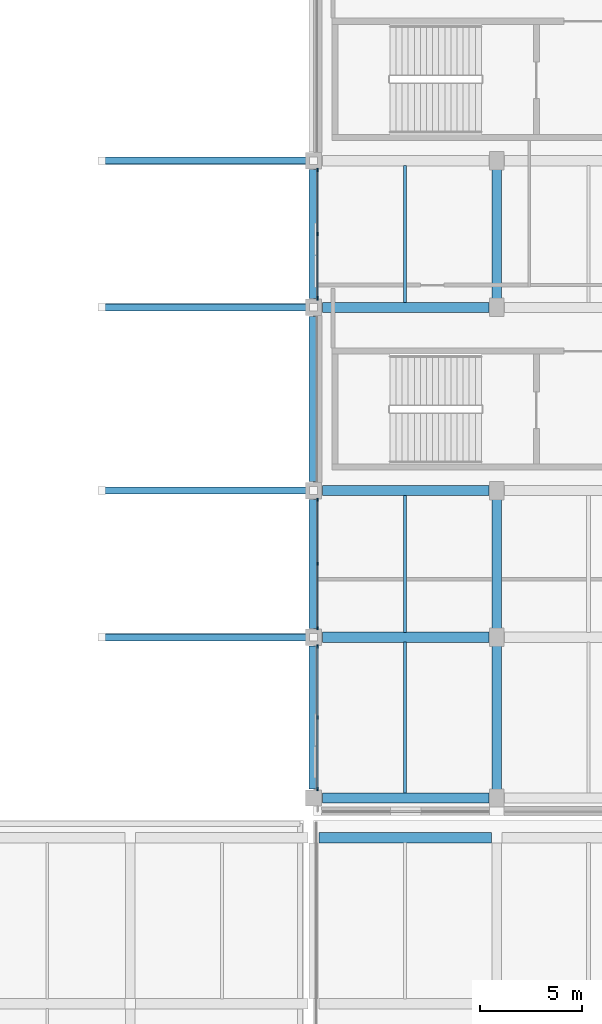
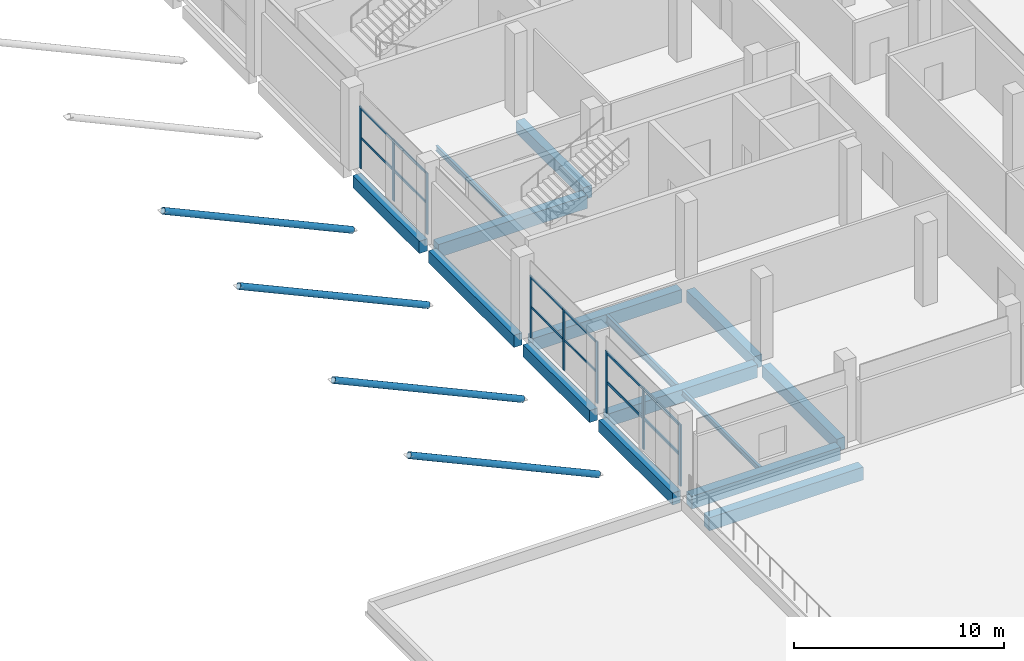
# One storey, part 24 of 82: 19 members, 15 beams, 3 elements without a shape of their own.
"""IFC4 building model written with IfcOpenShell, lengths in metres."""

from ifc_helpers import new_model, si_unit, direction, frame, origin, origin_2d, place, context, subcontext, project, spatial, rectangle, hollow_circle, i_section, extrude, material, material_profile, profile_set, type_object, element, aggregate, save


model = new_model("IFC4")

# Units and contexts
model_context = context("Model", 3, precision=1e-05, world=origin(), true_north=direction((0.0, 1.0)))
body_context = subcontext(model_context, "Body", "Model", "MODEL_VIEW")
ifc_project = project(units=[si_unit("LENGTHUNIT", "METRE"), si_unit("AREAUNIT", "SQUARE_METRE"), si_unit("VOLUMEUNIT", "CUBIC_METRE"), si_unit("PLANEANGLEUNIT", "RADIAN"), si_unit("MASSUNIT", "GRAM", prefix="KILO"), si_unit("THERMODYNAMICTEMPERATUREUNIT", "KELVIN"), si_unit("POWERUNIT", "WATT")], contexts=[model_context])

# Site, building, storey
site_placement = place(None, origin())
site = spatial("IfcSite", under=ifc_project, at=site_placement, CompositionType="ELEMENT")
building_placement = place(site_placement, origin())
building = spatial("IfcBuilding", under=site, at=building_placement, Name="Sindhuravela Promenade Stadium", CompositionType="ELEMENT")
storey_placement = place(building_placement, frame((0.0, 0.0, 14.39990234375)))
storey = spatial("IfcBuildingStorey", under=building, at=storey_placement, Name="L03", CompositionType="ELEMENT", Elevation=14.39990234375)

# Curtain wall, members
ifc_material_1 = material(Name="Anodised architectural aluminium 6063-T6", Category="aluminium")
curtain_wall_type_1 = type_object("IfcCurtainWallType", Name="CW-MOD-1", PredefinedType="NOTDEFINED", material=ifc_material_1)
curtain_wall_1_placement = place(storey_placement, origin())
curtain_wall_1 = element("IfcCurtainWall", 1, at=curtain_wall_1_placement, inside=storey, type_object=curtain_wall_type_1, Name="Bronze curtain wall CW-EAST-L03-120", PredefinedType="NOTDEFINED")
ifc_material_profile_1 = material_profile(ifc_material_1, rectangle(XDim=0.074951171875, YDim=0.175048828125, at=origin_2d()), Name="ALU MULL 75x175")
ifc_profile_set_1 = profile_set([ifc_material_profile_1], Name="Anodised architectural aluminium 6063-T6")
member_type_1 = type_object("IfcMemberType", Name="CW-MUL-1", PredefinedType="MULLION", material=ifc_profile_set_1)
member_1_placement = place(storey_placement, frame((180.199951171875, 37.550048828125, 0.0), z_axis=(0.0, 0.0, 1.0), x_axis=(1.0, 0.0, 0.0)))
member_1 = element("IfcMember", 2, at=member_1_placement, type_object=member_type_1, Name="Curtain wall mullion CW-EAST-L03-120-M1", PredefinedType="MULLION", context=body_context, shape_type="SweptSolid", body=[
    extrude(rectangle(XDim=0.074951171875, YDim=0.175048828125, at=origin_2d()), origin(), (0.0, 0.0, 1.0), 3.580078125),
])
member_2_placement = place(storey_placement, frame((180.199951171875, 41.050048828125, 0.0), z_axis=(0.0, 0.0, 1.0), x_axis=(1.0, 0.0, 0.0)))
member_2 = element("IfcMember", 3, at=member_2_placement, type_object=member_type_1, Name="Curtain wall mullion CW-EAST-L03-120-M2", PredefinedType="MULLION", context=body_context, shape_type="SweptSolid", body=[
    extrude(rectangle(XDim=0.074951171875, YDim=0.175048828125, at=origin_2d()), origin(), (0.0, 0.0, 1.0), 3.580078125),
])
member_3_placement = place(storey_placement, frame((180.199951171875, 44.550048828125, 0.0), z_axis=(0.0, 0.0, 1.0), x_axis=(1.0, 0.0, 0.0)))
member_3 = element("IfcMember", 4, at=member_3_placement, type_object=member_type_1, Name="Curtain wall mullion CW-EAST-L03-120-M3", PredefinedType="MULLION", context=body_context, shape_type="SweptSolid", body=[
    extrude(rectangle(XDim=0.074951171875, YDim=0.175048828125, at=origin_2d()), origin(), (0.0, 0.0, 1.0), 3.580078125),
])

curtain_wall_type_2 = type_object("IfcCurtainWallType", Name="CW-MOD-2", PredefinedType="NOTDEFINED", material=ifc_material_1)
curtain_wall_2_placement = place(storey_placement, origin())
curtain_wall_2 = element("IfcCurtainWall", 5, at=curtain_wall_2_placement, inside=storey, type_object=curtain_wall_type_2, Name="Bronze curtain wall CW-EAST-L03-121", PredefinedType="NOTDEFINED")
ifc_material_profile_2 = material_profile(ifc_material_1, rectangle(XDim=0.06494140625, YDim=0.14990234375, at=origin_2d()), Name="ALU MULL 65x150")
ifc_profile_set_2 = profile_set([ifc_material_profile_2], Name="Anodised architectural aluminium 6063-T6")
member_type_2 = type_object("IfcMemberType", Name="CW-MUL-2", PredefinedType="MULLION", material=ifc_profile_set_2)
member_4_placement = place(storey_placement, frame((180.199951171875, 45.449951171875, 0.0), z_axis=(0.0, 0.0, 1.0), x_axis=(1.0, 0.0, 0.0)))
member_4 = element("IfcMember", 6, at=member_4_placement, type_object=member_type_2, Name="Curtain wall mullion CW-EAST-L03-121-M1", PredefinedType="MULLION", context=body_context, shape_type="SweptSolid", body=[
    extrude(rectangle(XDim=0.06494140625, YDim=0.14990234375, at=origin_2d()), origin(), (0.0, 0.0, 1.0), 3.580078125),
])
member_5_placement = place(storey_placement, frame((180.199951171875, 48.60009765625, 0.0), z_axis=(0.0, 0.0, 1.0), x_axis=(1.0, 0.0, 0.0)))
member_5 = element("IfcMember", 7, at=member_5_placement, type_object=member_type_2, Name="Curtain wall mullion CW-EAST-L03-121-M2", PredefinedType="MULLION", context=body_context, shape_type="SweptSolid", body=[
    extrude(rectangle(XDim=0.06494140625, YDim=0.14990234375, at=origin_2d()), origin(), (0.0, 0.0, 1.0), 3.580078125),
])
member_6_placement = place(storey_placement, frame((180.199951171875, 51.75, 0.0), z_axis=(0.0, 0.0, 1.0), x_axis=(1.0, 0.0, 0.0)))
member_6 = element("IfcMember", 8, at=member_6_placement, type_object=member_type_2, Name="Curtain wall mullion CW-EAST-L03-121-M3", PredefinedType="MULLION", context=body_context, shape_type="SweptSolid", body=[
    extrude(rectangle(XDim=0.06494140625, YDim=0.14990234375, at=origin_2d()), origin(), (0.0, 0.0, 1.0), 3.580078125),
])

curtain_wall_type_3 = type_object("IfcCurtainWallType", Name="CW-MOD-3", PredefinedType="NOTDEFINED", material=ifc_material_1)
curtain_wall_3_placement = place(storey_placement, origin())
curtain_wall_3 = element("IfcCurtainWall", 9, at=curtain_wall_3_placement, inside=storey, type_object=curtain_wall_type_3, Name="Bronze curtain wall CW-EAST-L03-122", PredefinedType="NOTDEFINED")
ifc_material_profile_3 = material_profile(ifc_material_1, rectangle(XDim=0.06005859375, YDim=0.179931640625, at=origin_2d()), Name="ALU M60x180")
ifc_profile_set_3 = profile_set([ifc_material_profile_3], Name="Anodised architectural aluminium 6063-T6")
member_type_3 = type_object("IfcMemberType", Name="CW-MUL-3", PredefinedType="MULLION", material=ifc_profile_set_3)
member_7_placement = place(storey_placement, frame((180.199951171875, 61.64990234375, 0.0), z_axis=(0.0, 0.0, 1.0), x_axis=(1.0, 0.0, 0.0)))
member_7 = element("IfcMember", 10, at=member_7_placement, type_object=member_type_3, Name="Curtain wall mullion CW-EAST-L03-122-M1", PredefinedType="MULLION", context=body_context, shape_type="SweptSolid", body=[
    extrude(rectangle(XDim=0.06005859375, YDim=0.179931640625, at=origin_2d()), origin(), (0.0, 0.0, 1.0), 3.580078125),
])
member_8_placement = place(storey_placement, frame((180.199951171875, 64.800048828125, 0.0), z_axis=(0.0, 0.0, 1.0), x_axis=(1.0, 0.0, 0.0)))
member_8 = element("IfcMember", 11, at=member_8_placement, type_object=member_type_3, Name="Curtain wall mullion CW-EAST-L03-122-M2", PredefinedType="MULLION", context=body_context, shape_type="SweptSolid", body=[
    extrude(rectangle(XDim=0.06005859375, YDim=0.179931640625, at=origin_2d()), origin(), (0.0, 0.0, 1.0), 3.580078125),
])
member_9_placement = place(storey_placement, frame((180.199951171875, 67.949951171875, 0.0), z_axis=(0.0, 0.0, 1.0), x_axis=(1.0, 0.0, 0.0)))
member_9 = element("IfcMember", 12, at=member_9_placement, type_object=member_type_3, Name="Curtain wall mullion CW-EAST-L03-122-M3", PredefinedType="MULLION", context=body_context, shape_type="SweptSolid", body=[
    extrude(rectangle(XDim=0.06005859375, YDim=0.179931640625, at=origin_2d()), origin(), (0.0, 0.0, 1.0), 3.580078125),
])

# Member
ifc_material_profile_4 = material_profile(ifc_material_1, rectangle(XDim=0.074951171875, YDim=0.14990234375, at=origin_2d()), Name="ALU TRAN 75x150")
ifc_profile_set_4 = profile_set([ifc_material_profile_4], Name="Anodised architectural aluminium 6063-T6")
member_type_4 = type_object("IfcMemberType", Name="CW-TRN-1", PredefinedType="USERDEFINED", material=ifc_profile_set_4)
member_10_placement = place(storey_placement, frame((180.199951171875, 37.52490234375, 1.7900390625), z_axis=(0.0, 1.0, 0.0), x_axis=(-1.0, 0.0, 0.0)))
member_10 = element("IfcMember", 13, at=member_10_placement, type_object=member_type_4, Name="Curtain wall transom CW-EAST-L03-120-T1", ObjectType="TRANSOM", PredefinedType="USERDEFINED", context=body_context, shape_type="SweptSolid", body=[
    extrude(rectangle(XDim=0.074951171875, YDim=0.14990234375, at=origin_2d()), origin(), (0.0, 0.0, 1.0), 7.050048828125),
])

member_11_placement = place(storey_placement, frame((180.199951171875, 37.52490234375, 3.5), z_axis=(0.0, 1.0, 0.0), x_axis=(-1.0, 0.0, 0.0)))
member_11 = element("IfcMember", 14, at=member_11_placement, type_object=member_type_4, Name="Curtain wall transom CW-EAST-L03-120-T2", ObjectType="TRANSOM", PredefinedType="USERDEFINED", context=body_context, shape_type="SweptSolid", body=[
    extrude(rectangle(XDim=0.074951171875, YDim=0.14990234375, at=origin_2d()), origin(), (0.0, 0.0, 1.0), 7.050048828125),
])

aggregate(curtain_wall_1, [member_1, member_2, member_3, member_10, member_11])

ifc_material_profile_5 = material_profile(ifc_material_1, rectangle(XDim=0.06494140625, YDim=0.125, at=origin_2d()), Name="ALU TRAN 65x125")
ifc_profile_set_5 = profile_set([ifc_material_profile_5], Name="Anodised architectural aluminium 6063-T6")
member_type_5 = type_object("IfcMemberType", Name="CW-TRN-2", PredefinedType="USERDEFINED", material=ifc_profile_set_5)
member_12_placement = place(storey_placement, frame((180.199951171875, 45.425048828125, 1.7900390625), z_axis=(0.0, 1.0, 0.0), x_axis=(-1.0, 0.0, 0.0)))
member_12 = element("IfcMember", 15, at=member_12_placement, type_object=member_type_5, Name="Curtain wall transom CW-EAST-L03-121-T1", ObjectType="TRANSOM", PredefinedType="USERDEFINED", context=body_context, shape_type="SweptSolid", body=[
    extrude(rectangle(XDim=0.06494140625, YDim=0.125, at=origin_2d()), origin(), (0.0, 0.0, 1.0), 6.349853515625),
])

member_13_placement = place(storey_placement, frame((180.199951171875, 45.425048828125, 3.5), z_axis=(0.0, 1.0, 0.0), x_axis=(-1.0, 0.0, 0.0)))
member_13 = element("IfcMember", 16, at=member_13_placement, type_object=member_type_5, Name="Curtain wall transom CW-EAST-L03-121-T2", ObjectType="TRANSOM", PredefinedType="USERDEFINED", context=body_context, shape_type="SweptSolid", body=[
    extrude(rectangle(XDim=0.06494140625, YDim=0.125, at=origin_2d()), origin(), (0.0, 0.0, 1.0), 6.349853515625),
])

aggregate(curtain_wall_2, [member_4, member_5, member_6, member_12, member_13])

ifc_material_profile_6 = material_profile(ifc_material_1, rectangle(XDim=0.06005859375, YDim=0.1298828125, at=origin_2d()), Name="ALU T60x130")
ifc_profile_set_6 = profile_set([ifc_material_profile_6], Name="Anodised architectural aluminium 6063-T6")
member_type_6 = type_object("IfcMemberType", Name="CW-TRN-3", PredefinedType="USERDEFINED", material=ifc_profile_set_6)
member_14_placement = place(storey_placement, frame((180.199951171875, 61.625, 1.7900390625), z_axis=(0.0, 1.0, 0.0), x_axis=(-1.0, 0.0, 0.0)))
member_14 = element("IfcMember", 17, at=member_14_placement, type_object=member_type_6, Name="Curtain wall transom CW-EAST-L03-122-T1", ObjectType="TRANSOM", PredefinedType="USERDEFINED", context=body_context, shape_type="SweptSolid", body=[
    extrude(rectangle(XDim=0.06005859375, YDim=0.1298828125, at=origin_2d()), origin(), (0.0, 0.0, 1.0), 6.35009765625),
])

member_15_placement = place(storey_placement, frame((180.199951171875, 61.625, 3.5), z_axis=(0.0, 1.0, 0.0), x_axis=(-1.0, 0.0, 0.0)))
member_15 = element("IfcMember", 18, at=member_15_placement, type_object=member_type_6, Name="Curtain wall transom CW-EAST-L03-122-T2", ObjectType="TRANSOM", PredefinedType="USERDEFINED", context=body_context, shape_type="SweptSolid", body=[
    extrude(rectangle(XDim=0.06005859375, YDim=0.1298828125, at=origin_2d()), origin(), (0.0, 0.0, 1.0), 6.35009765625),
])

aggregate(curtain_wall_3, [member_7, member_8, member_9, member_14, member_15])

# Beams
ifc_material_2 = material(Name="Concrete M40", Category="concrete")
ifc_material_profile_7 = material_profile(ifc_material_2, rectangle(XDim=0.449951171875, YDim=0.699951171875, at=origin_2d()), Name="RC 450x700")
ifc_profile_set_7 = profile_set([ifc_material_profile_7], Name="Concrete M40")
beam_type_1 = type_object("IfcBeamType", Name="RC-BM-450x700", PredefinedType="BEAM", material=ifc_profile_set_7)
beam_1_placement = place(storey_placement, frame((180.0, 37.5400390625, -0.64990234375), z_axis=(0.0, 1.0, 0.0), x_axis=(-1.0, 0.0, 0.0)))
element("IfcBeam", 19, at=beam_1_placement, inside=storey, type_object=beam_type_1, Name="Primary beam GB07 EAST L03", PredefinedType="BEAM", context=body_context, shape_type="SweptSolid", body=[
    extrude(rectangle(XDim=0.449951171875, YDim=0.699951171875, at=origin_2d()), origin(), (0.0, 0.0, 1.0), 7.02001953125),
])
beam_2_placement = place(storey_placement, frame((180.0, 45.43994140625, -0.64990234375), z_axis=(0.0, 1.0, 0.0), x_axis=(-1.0, 0.0, 0.0)))
element("IfcBeam", 20, at=beam_2_placement, inside=storey, type_object=beam_type_1, Name="Primary beam GB07 EAST L03", PredefinedType="BEAM", context=body_context, shape_type="SweptSolid", body=[
    extrude(rectangle(XDim=0.449951171875, YDim=0.699951171875, at=origin_2d()), origin(), (0.0, 0.0, 1.0), 6.320068359375),
])
beam_3_placement = place(storey_placement, frame((180.0, 52.639892578125, -0.64990234375), z_axis=(0.0, 1.0, 0.0), x_axis=(-1.0, 0.0, 0.0)))
element("IfcBeam", 21, at=beam_3_placement, inside=storey, type_object=beam_type_1, Name="Primary beam GB07 EAST L03", PredefinedType="BEAM", context=body_context, shape_type="SweptSolid", body=[
    extrude(rectangle(XDim=0.449951171875, YDim=0.699951171875, at=origin_2d()), origin(), (0.0, 0.0, 1.0), 8.1201171875),
])
beam_4_placement = place(storey_placement, frame((180.0, 61.639892578125, -0.64990234375), z_axis=(0.0, 1.0, 0.0), x_axis=(-1.0, 0.0, 0.0)))
element("IfcBeam", 22, at=beam_4_placement, inside=storey, type_object=beam_type_1, Name="Primary beam GB07 EAST L03", PredefinedType="BEAM", context=body_context, shape_type="SweptSolid", body=[
    extrude(rectangle(XDim=0.449951171875, YDim=0.699951171875, at=origin_2d()), origin(), (0.0, 0.0, 1.0), 6.320068359375),
])
beam_5_placement = place(storey_placement, frame((189.0, 37.489990234375, -0.64990234375), z_axis=(0.0, 1.0, 0.0), x_axis=(-1.0, 0.0, 0.0)))
element("IfcBeam", 23, at=beam_5_placement, inside=storey, type_object=beam_type_1, Name="Primary beam GB07 EAST L03", PredefinedType="BEAM", context=body_context, shape_type="SweptSolid", body=[
    extrude(rectangle(XDim=0.449951171875, YDim=0.699951171875, at=origin_2d()), origin(), (0.0, 0.0, 1.0), 7.1201171875),
])
beam_6_placement = place(storey_placement, frame((189.0, 45.389892578125, -0.64990234375), z_axis=(0.0, 1.0, 0.0), x_axis=(-1.0, 0.0, 0.0)))
element("IfcBeam", 24, at=beam_6_placement, inside=storey, type_object=beam_type_1, Name="Primary beam GB07 EAST L03", PredefinedType="BEAM", context=body_context, shape_type="SweptSolid", body=[
    extrude(rectangle(XDim=0.449951171875, YDim=0.699951171875, at=origin_2d()), origin(), (0.0, 0.0, 1.0), 6.420166015625),
])
beam_7_placement = place(storey_placement, frame((189.0, 61.590087890625, -0.64990234375), z_axis=(0.0, 1.0, 0.0), x_axis=(-1.0, 0.0, 0.0)))
element("IfcBeam", 25, at=beam_7_placement, inside=storey, type_object=beam_type_1, Name="Primary beam GB07 EAST L03", PredefinedType="BEAM", context=body_context, shape_type="SweptSolid", body=[
    extrude(rectangle(XDim=0.449951171875, YDim=0.699951171875, at=origin_2d()), origin(), (0.0, 0.0, 1.0), 6.419921875),
])
ifc_material_profile_8 = material_profile(ifc_material_2, rectangle(XDim=0.5, YDim=0.75, at=origin_2d()), Name="RC 500x750")
ifc_profile_set_8 = profile_set([ifc_material_profile_8], Name="Concrete M40")
beam_type_2 = type_object("IfcBeamType", Name="RC-BM-500x750", PredefinedType="BEAM", material=ifc_profile_set_8)
for number, where, z_axis, x_axis, name in (
    (26, (180.43994140625, 37.10009765625, -0.6748046875), (1.0, 0.0, 0.0), (0.0, 1.0, 0.0), "Primary girder GB06 EAST L03"),
    (27, (180.43994140625, 45.0, -0.6748046875), (1.0, 0.0, 0.0), (0.0, 1.0, 0.0), "Primary girder GB06 EAST L03"),
    (28, (180.43994140625, 52.199951171875, -0.6748046875), (1.0, 0.0, 0.0), (0.0, 1.0, 0.0), "Primary girder GB06 EAST L03"),
    (29, (180.43994140625, 61.199951171875, -0.6748046875), (1.0, 0.0, 0.0), (0.0, 1.0, 0.0), "Primary girder GB06 EAST L03"),
):
    element("IfcBeam", number, at=place(storey_placement, frame(where, z_axis=z_axis, x_axis=x_axis)), inside=storey, type_object=beam_type_2, Name=name, PredefinedType="BEAM", context=body_context, shape_type="SweptSolid", body=[
        extrude(rectangle(XDim=0.5, YDim=0.75, at=origin_2d()), origin(), (0.0, 0.0, 1.0), 8.170166015625),
    ])
beam_8_placement = place(storey_placement, frame((180.264892578125, 35.14990234375, -0.684814453125), z_axis=(1.0, 0.0, 0.0), x_axis=(0.0, 1.0, 0.0)))
element("IfcBeam", 30, at=beam_8_placement, inside=storey, type_object=beam_type_2, Name="Primary girder GB06 Pavilion SE L03", PredefinedType="BEAM", context=body_context, shape_type="SweptSolid", body=[
    extrude(rectangle(XDim=0.5, YDim=0.75, at=origin_2d()), origin(), (0.0, 0.0, 1.0), 8.47021484375),
])
ifc_material_3 = material(Name="Steel E350 (IS 2062 E350BR)", Category="steel")
ifc_material_profile_9 = material_profile(ifc_material_3, i_section(OverallWidth=0.139892578125, OverallDepth=0.300048828125, WebThickness=0.0078125, FlangeThickness=0.01318359375, FilletRadius=0.013916015625, at=origin_2d()), Name="ISMB 300")
ifc_profile_set_9 = profile_set([ifc_material_profile_9], Name="Steel E350 (IS 2062 E350BR)")
beam_type_3 = type_object("IfcBeamType", Name="ST-BM-MB300", PredefinedType="JOIST", material=ifc_profile_set_9)
beam_9_placement = place(storey_placement, frame((184.5, 37.340087890625, -0.449951171875), z_axis=(0.0, 1.0, 0.0), x_axis=(-1.0, 0.0, 0.0)))
element("IfcBeam", 31, at=beam_9_placement, inside=storey, type_object=beam_type_3, Name="Secondary floor joist SB03 EAST L03", PredefinedType="JOIST", context=body_context, shape_type="SweptSolid", body=[
    extrude(i_section(OverallWidth=0.139892578125, OverallDepth=0.300048828125, WebThickness=0.0078125, FlangeThickness=0.01318359375, FilletRadius=0.013916015625, at=origin_2d()), origin(), (0.0, 0.0, 1.0), 7.419921875),
])
beam_10_placement = place(storey_placement, frame((184.5, 61.43994140625, -0.449951171875), z_axis=(0.0, 1.0, 0.0), x_axis=(-1.0, 0.0, 0.0)))
element("IfcBeam", 32, at=beam_10_placement, inside=storey, type_object=beam_type_3, Name="Secondary floor joist SB03 EAST L03", PredefinedType="JOIST", context=body_context, shape_type="SweptSolid", body=[
    extrude(i_section(OverallWidth=0.139892578125, OverallDepth=0.300048828125, WebThickness=0.0078125, FlangeThickness=0.01318359375, FilletRadius=0.013916015625, at=origin_2d()), origin(), (0.0, 0.0, 1.0), 6.719970703125),
])
ifc_material_profile_10 = material_profile(ifc_material_3, i_section(OverallWidth=0.14990234375, OverallDepth=0.449951171875, WebThickness=0.009521484375, FlangeThickness=0.017333984375, FilletRadius=0.014892578125, at=origin_2d()), Name="ISMB 450")
ifc_profile_set_10 = profile_set([ifc_material_profile_10], Name="Steel E350 (IS 2062 E350BR)")
beam_type_4 = type_object("IfcBeamType", Name="ST-BM-MB450", PredefinedType="BEAM", material=ifc_profile_set_10)
beam_11_placement = place(storey_placement, frame((184.5, 45.239990234375, -0.52490234375), z_axis=(0.0, 1.0, 0.0), x_axis=(-1.0, 0.0, 0.0)))
element("IfcBeam", 33, at=beam_11_placement, inside=storey, type_object=beam_type_4, Name="Secondary floor joist SB06 EAST L03", PredefinedType="BEAM", context=body_context, shape_type="SweptSolid", body=[
    extrude(i_section(OverallWidth=0.14990234375, OverallDepth=0.449951171875, WebThickness=0.009521484375, FlangeThickness=0.017333984375, FilletRadius=0.014892578125, at=origin_2d()), origin(), (0.0, 0.0, 1.0), 6.719970703125),
])

# Members
ifc_material_profile_11 = material_profile(ifc_material_3, hollow_circle(Radius=0.177734375, WallThickness=0.011962890625, at=origin_2d()), Name="CHS 355.6x12")
ifc_profile_set_11 = profile_set([ifc_material_profile_11], Name="Steel E350 (IS 2062 E350BR)")
member_type_7 = type_object("IfcMemberType", Name="ST-MB-CHS356", PredefinedType="STRUT", material=ifc_profile_set_11)
for number, where, z_axis, x_axis, name in (
    (34, (180.0, 45.0, -3.7998046875), (-0.9096146847750655, 0.0, 0.41545291579378546), (0.0, -1.0, 0.0), "Upper raker prop strut MS02 STRUT-T2-E-052"),
    (35, (180.0, 52.199951171875, -3.7998046875), (-0.9096146847750655, 0.0, 0.41545291579378546), (0.0, -1.0, 0.0), "Upper raker prop strut MS02 STRUT-T2-E-054"),
    (36, (180.0, 61.199951171875, -3.7998046875), (-0.9096146847750655, 0.0, 0.41545291579378546), (0.0, -1.0, 0.0), "Upper raker prop strut MS02 STRUT-T2-E-056"),
    (37, (180.0, 68.39990234375, -3.7998046875), (-0.9096146847750655, 0.0, 0.41545291579378546), (0.0, -1.0, 0.0), "Upper raker prop strut MS02 STRUT-T2-E-058"),
):
    element("IfcMember", number, at=place(storey_placement, frame(where, z_axis=z_axis, x_axis=x_axis)), inside=storey, type_object=member_type_7, Name=name, PredefinedType="STRUT", context=body_context, shape_type="SweptSolid", body=[
        extrude(hollow_circle(Radius=0.177734375, WallThickness=0.011962890625, at=origin_2d()), origin(), (0.0, 0.0, 1.0), 11.433349609375),
    ])

save(model, "model.ifc")
